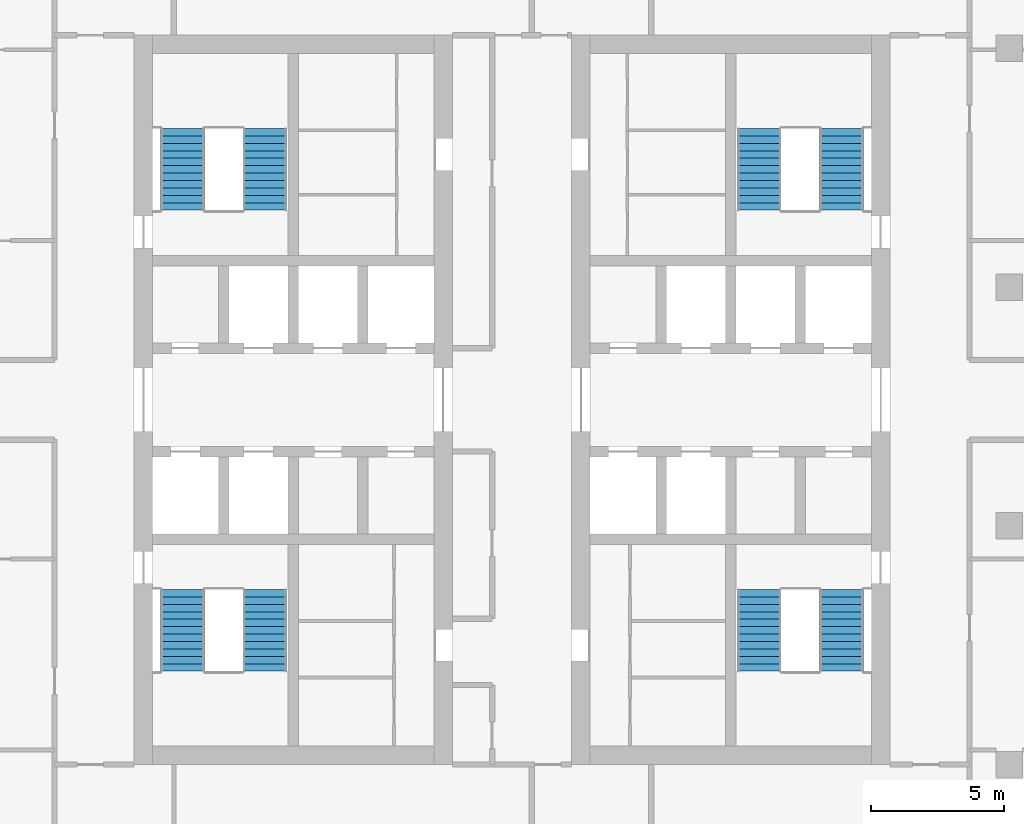
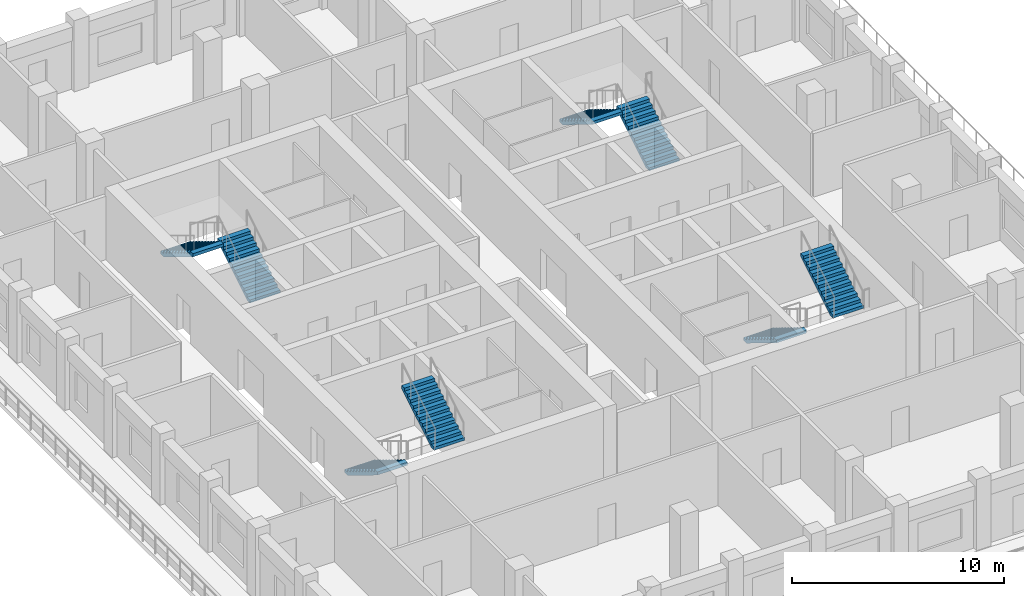
# One storey, part 8 of 17: 8 stair flights, 4 elements without a shape of their own.
"""IFC4 building model written with IfcOpenShell, lengths in metres."""

from ifc_helpers import new_model, si_unit, direction, frame, origin, place, context, subcontext, project, spatial, polyline, outline, extrude, material, type_object, element, aggregate, save


model = new_model("IFC4")

# Units and contexts
model_context = context("Model", 3, precision=1e-05, world=origin(), true_north=direction((0.0, 1.0)))
body_context = subcontext(model_context, "Body", "Model", "MODEL_VIEW")
ifc_project = project(units=[si_unit("LENGTHUNIT", "METRE"), si_unit("AREAUNIT", "SQUARE_METRE"), si_unit("VOLUMEUNIT", "CUBIC_METRE"), si_unit("PLANEANGLEUNIT", "RADIAN"), si_unit("MASSUNIT", "GRAM", prefix="KILO")], contexts=[model_context])

# Site, building, storey
site_placement = place(None, origin())
site = spatial("IfcSite", under=ifc_project, at=site_placement, CompositionType="ELEMENT")
building_placement = place(site_placement, origin())
building = spatial("IfcBuilding", under=site, at=building_placement, Name="Corbel Stack Research Tower", CompositionType="ELEMENT")
storey_placement = place(building_placement, frame((0.0, 0.0, 252.10009765625)))
storey = spatial("IfcBuildingStorey", under=building, at=storey_placement, Name="L57", CompositionType="ELEMENT", Elevation=252.10009765625)

# Stair, stair flights
ifc_material_1 = material(Name="Concrete C40/50", Category="concrete")
stair_type = type_object("IfcStairType", Name="Exit stair 24 risers", PredefinedType="HALF_TURN_STAIR", material=ifc_material_1)
stair_1_placement = place(storey_placement, origin())
stair_1 = element("IfcStair", 1, at=stair_1_placement, inside=storey, type_object=stair_type, Name="L57 Exit stair ST-W1", PredefinedType="HALF_TURN_STAIR")
ifc_material_2 = material(Name="Concrete C40/50", Category="concrete")
stair_flight_type = type_object("IfcStairFlightType", Name="Stair flight 12 risers", PredefinedType="STRAIGHT", material=ifc_material_2)
stair_flight_1_placement = place(storey_placement, frame((-8.675048828125, -2.39990234375, 0.0), z_axis=(0.0, 0.0, 1.0), x_axis=(0.0, -1.0, 0.0)))
stair_flight_1 = element("IfcStairFlight", 2, at=stair_flight_1_placement, type_object=stair_flight_type, Name="ST-W1 flight 1", NumberOfRisers=12, NumberOfTreads=11, PredefinedType="STRAIGHT", RiserHeight=0.170833333, TreadLength=0.28, context=body_context, shape_type="SweptSolid", body=[
    extrude(outline(polyline([(0.0, 0.0), (0.0, 0.1708984375), (0.280029296875, 0.1708984375), (0.280029296875, 0.341552734375), (0.56005859375, 0.341552734375), (0.56005859375, 0.512451171875), (0.840087890625, 0.512451171875), (0.840087890625, 0.683349609375), (1.1201171875, 0.683349609375), (1.1201171875, 0.854248046875), (1.39990234375, 0.854248046875), (1.39990234375, 1.02490234375), (1.679931640625, 1.02490234375), (1.679931640625, 1.19580078125), (1.9599609375, 1.19580078125), (1.9599609375, 1.36669921875), (2.239990234375, 1.36669921875), (2.239990234375, 1.53759765625), (2.52001953125, 1.53759765625), (2.52001953125, 1.708251953125), (2.800048828125, 1.708251953125), (2.800048828125, 1.879150390625), (3.080078125, 1.879150390625), (3.080078125, 2.050048828125), (3.080078125, 1.70361328125), (0.287841796875, 0.0), (0.0, 0.0)])), frame((0.0, 0.824951171875, 0.0), z_axis=(0.0, -1.0, 0.0), x_axis=(1.0, 0.0, 0.0)), (0.0, 0.0, 1.0), 1.64990234375),
])
stair_flight_2_placement = place(storey_placement, frame((-5.574951171875, -5.47998046875, 2.0498046875), z_axis=(0.0, 0.0, 1.0), x_axis=(0.0, 1.0, 0.0)))
stair_flight_2 = element("IfcStairFlight", 3, at=stair_flight_2_placement, type_object=stair_flight_type, Name="ST-W1 flight 2", NumberOfRisers=12, NumberOfTreads=11, PredefinedType="STRAIGHT", RiserHeight=0.170833333, TreadLength=0.28, context=body_context, shape_type="SweptSolid", body=[
    extrude(outline(polyline([(0.0, 0.0), (0.0, 0.1708984375), (0.280029296875, 0.1708984375), (0.280029296875, 0.341552734375), (0.56005859375, 0.341552734375), (0.56005859375, 0.512451171875), (0.840087890625, 0.512451171875), (0.840087890625, 0.683349609375), (1.1201171875, 0.683349609375), (1.1201171875, 0.854248046875), (1.39990234375, 0.854248046875), (1.39990234375, 1.02490234375), (1.679931640625, 1.02490234375), (1.679931640625, 1.19580078125), (1.9599609375, 1.19580078125), (1.9599609375, 1.36669921875), (2.239990234375, 1.36669921875), (2.239990234375, 1.53759765625), (2.52001953125, 1.53759765625), (2.52001953125, 1.708251953125), (2.800048828125, 1.708251953125), (2.800048828125, 1.879150390625), (3.080078125, 1.879150390625), (3.080078125, 2.050048828125), (3.080078125, 1.70361328125), (0.287841796875, 0.0), (0.0, 0.0)])), frame((0.0, 0.824951171875, 0.0), z_axis=(0.0, -1.0, 0.0), x_axis=(1.0, 0.0, 0.0)), (0.0, 0.0, 1.0), 1.64990234375),
])
aggregate(stair_1, [stair_flight_1, stair_flight_2])

stair_2_placement = place(storey_placement, origin())
stair_2 = element("IfcStair", 4, at=stair_2_placement, inside=storey, type_object=stair_type, Name="L57 Exit stair ST-W2", PredefinedType="HALF_TURN_STAIR")
stair_flight_3_placement = place(storey_placement, frame((-5.574951171875, 11.89990234375, 0.0), z_axis=(0.0, 0.0, 1.0), x_axis=(0.0, 1.0, 0.0)))
stair_flight_3 = element("IfcStairFlight", 5, at=stair_flight_3_placement, type_object=stair_flight_type, Name="ST-W2 flight 1", NumberOfRisers=12, NumberOfTreads=11, PredefinedType="STRAIGHT", RiserHeight=0.170833333, TreadLength=0.28, context=body_context, shape_type="SweptSolid", body=[
    extrude(outline(polyline([(0.0, 0.0), (0.0, 0.1708984375), (0.280029296875, 0.1708984375), (0.280029296875, 0.341552734375), (0.56005859375, 0.341552734375), (0.56005859375, 0.512451171875), (0.840087890625, 0.512451171875), (0.840087890625, 0.683349609375), (1.1201171875, 0.683349609375), (1.1201171875, 0.854248046875), (1.39990234375, 0.854248046875), (1.39990234375, 1.02490234375), (1.679931640625, 1.02490234375), (1.679931640625, 1.19580078125), (1.9599609375, 1.19580078125), (1.9599609375, 1.36669921875), (2.239990234375, 1.36669921875), (2.239990234375, 1.53759765625), (2.52001953125, 1.53759765625), (2.52001953125, 1.708251953125), (2.800048828125, 1.708251953125), (2.800048828125, 1.879150390625), (3.080078125, 1.879150390625), (3.080078125, 2.050048828125), (3.080078125, 1.70361328125), (0.287841796875, 0.0), (0.0, 0.0)])), frame((0.0, 0.824951171875, 0.0), z_axis=(0.0, -1.0, 0.0), x_axis=(1.0, 0.0, 0.0)), (0.0, 0.0, 1.0), 1.64990234375),
])
stair_flight_4_placement = place(storey_placement, frame((-8.675048828125, 14.97998046875, 2.0498046875), z_axis=(0.0, 0.0, 1.0), x_axis=(0.0, -1.0, 0.0)))
stair_flight_4 = element("IfcStairFlight", 6, at=stair_flight_4_placement, type_object=stair_flight_type, Name="ST-W2 flight 2", NumberOfRisers=12, NumberOfTreads=11, PredefinedType="STRAIGHT", RiserHeight=0.170833333, TreadLength=0.28, context=body_context, shape_type="SweptSolid", body=[
    extrude(outline(polyline([(0.0, 0.0), (0.0, 0.1708984375), (0.280029296875, 0.1708984375), (0.280029296875, 0.341552734375), (0.56005859375, 0.341552734375), (0.56005859375, 0.512451171875), (0.840087890625, 0.512451171875), (0.840087890625, 0.683349609375), (1.1201171875, 0.683349609375), (1.1201171875, 0.854248046875), (1.39990234375, 0.854248046875), (1.39990234375, 1.02490234375), (1.679931640625, 1.02490234375), (1.679931640625, 1.19580078125), (1.9599609375, 1.19580078125), (1.9599609375, 1.36669921875), (2.239990234375, 1.36669921875), (2.239990234375, 1.53759765625), (2.52001953125, 1.53759765625), (2.52001953125, 1.708251953125), (2.800048828125, 1.708251953125), (2.800048828125, 1.879150390625), (3.080078125, 1.879150390625), (3.080078125, 2.050048828125), (3.080078125, 1.70361328125), (0.287841796875, 0.0), (0.0, 0.0)])), frame((0.0, 0.824951171875, 0.0), z_axis=(0.0, -1.0, 0.0), x_axis=(1.0, 0.0, 0.0)), (0.0, 0.0, 1.0), 1.64990234375),
])
aggregate(stair_2, [stair_flight_3, stair_flight_4])

stair_3_placement = place(storey_placement, origin())
stair_3 = element("IfcStair", 7, at=stair_3_placement, inside=storey, type_object=stair_type, Name="L57 Exit stair ST-E1", PredefinedType="HALF_TURN_STAIR")
stair_flight_5_placement = place(storey_placement, frame((13.074951171875, -2.39990234375, 0.0), z_axis=(0.0, 0.0, 1.0), x_axis=(0.0, -1.0, 0.0)))
stair_flight_5 = element("IfcStairFlight", 8, at=stair_flight_5_placement, type_object=stair_flight_type, Name="ST-E1 flight 1", NumberOfRisers=12, NumberOfTreads=11, PredefinedType="STRAIGHT", RiserHeight=0.170833333, TreadLength=0.28, context=body_context, shape_type="SweptSolid", body=[
    extrude(outline(polyline([(0.0, 0.0), (0.0, 0.1708984375), (0.280029296875, 0.1708984375), (0.280029296875, 0.341552734375), (0.56005859375, 0.341552734375), (0.56005859375, 0.512451171875), (0.840087890625, 0.512451171875), (0.840087890625, 0.683349609375), (1.1201171875, 0.683349609375), (1.1201171875, 0.854248046875), (1.39990234375, 0.854248046875), (1.39990234375, 1.02490234375), (1.679931640625, 1.02490234375), (1.679931640625, 1.19580078125), (1.9599609375, 1.19580078125), (1.9599609375, 1.36669921875), (2.239990234375, 1.36669921875), (2.239990234375, 1.53759765625), (2.52001953125, 1.53759765625), (2.52001953125, 1.708251953125), (2.800048828125, 1.708251953125), (2.800048828125, 1.879150390625), (3.080078125, 1.879150390625), (3.080078125, 2.050048828125), (3.080078125, 1.70361328125), (0.287841796875, 0.0), (0.0, 0.0)])), frame((0.0, 0.824951171875, 0.0), z_axis=(0.0, -1.0, 0.0), x_axis=(1.0, 0.0, 0.0)), (0.0, 0.0, 1.0), 1.64990234375),
])
stair_flight_6_placement = place(storey_placement, frame((16.175048828125, -5.47998046875, 2.0498046875), z_axis=(0.0, 0.0, 1.0), x_axis=(0.0, 1.0, 0.0)))
stair_flight_6 = element("IfcStairFlight", 9, at=stair_flight_6_placement, type_object=stair_flight_type, Name="ST-E1 flight 2", NumberOfRisers=12, NumberOfTreads=11, PredefinedType="STRAIGHT", RiserHeight=0.170833333, TreadLength=0.28, context=body_context, shape_type="SweptSolid", body=[
    extrude(outline(polyline([(0.0, 0.0), (0.0, 0.1708984375), (0.280029296875, 0.1708984375), (0.280029296875, 0.341552734375), (0.56005859375, 0.341552734375), (0.56005859375, 0.512451171875), (0.840087890625, 0.512451171875), (0.840087890625, 0.683349609375), (1.1201171875, 0.683349609375), (1.1201171875, 0.854248046875), (1.39990234375, 0.854248046875), (1.39990234375, 1.02490234375), (1.679931640625, 1.02490234375), (1.679931640625, 1.19580078125), (1.9599609375, 1.19580078125), (1.9599609375, 1.36669921875), (2.239990234375, 1.36669921875), (2.239990234375, 1.53759765625), (2.52001953125, 1.53759765625), (2.52001953125, 1.708251953125), (2.800048828125, 1.708251953125), (2.800048828125, 1.879150390625), (3.080078125, 1.879150390625), (3.080078125, 2.050048828125), (3.080078125, 1.70361328125), (0.287841796875, 0.0), (0.0, 0.0)])), frame((0.0, 0.824951171875, 0.0), z_axis=(0.0, -1.0, 0.0), x_axis=(1.0, 0.0, 0.0)), (0.0, 0.0, 1.0), 1.64990234375),
])
aggregate(stair_3, [stair_flight_5, stair_flight_6])

stair_4_placement = place(storey_placement, origin())
stair_4 = element("IfcStair", 10, at=stair_4_placement, inside=storey, type_object=stair_type, Name="L57 Exit stair ST-E2", PredefinedType="HALF_TURN_STAIR")
stair_flight_7_placement = place(storey_placement, frame((16.175048828125, 11.89990234375, 0.0), z_axis=(0.0, 0.0, 1.0), x_axis=(0.0, 1.0, 0.0)))
stair_flight_7 = element("IfcStairFlight", 11, at=stair_flight_7_placement, type_object=stair_flight_type, Name="ST-E2 flight 1", NumberOfRisers=12, NumberOfTreads=11, PredefinedType="STRAIGHT", RiserHeight=0.170833333, TreadLength=0.28, context=body_context, shape_type="SweptSolid", body=[
    extrude(outline(polyline([(0.0, 0.0), (0.0, 0.1708984375), (0.280029296875, 0.1708984375), (0.280029296875, 0.341552734375), (0.56005859375, 0.341552734375), (0.56005859375, 0.512451171875), (0.840087890625, 0.512451171875), (0.840087890625, 0.683349609375), (1.1201171875, 0.683349609375), (1.1201171875, 0.854248046875), (1.39990234375, 0.854248046875), (1.39990234375, 1.02490234375), (1.679931640625, 1.02490234375), (1.679931640625, 1.19580078125), (1.9599609375, 1.19580078125), (1.9599609375, 1.36669921875), (2.239990234375, 1.36669921875), (2.239990234375, 1.53759765625), (2.52001953125, 1.53759765625), (2.52001953125, 1.708251953125), (2.800048828125, 1.708251953125), (2.800048828125, 1.879150390625), (3.080078125, 1.879150390625), (3.080078125, 2.050048828125), (3.080078125, 1.70361328125), (0.287841796875, 0.0), (0.0, 0.0)])), frame((0.0, 0.824951171875, 0.0), z_axis=(0.0, -1.0, 0.0), x_axis=(1.0, 0.0, 0.0)), (0.0, 0.0, 1.0), 1.64990234375),
])
stair_flight_8_placement = place(storey_placement, frame((13.074951171875, 14.97998046875, 2.0498046875), z_axis=(0.0, 0.0, 1.0), x_axis=(0.0, -1.0, 0.0)))
stair_flight_8 = element("IfcStairFlight", 12, at=stair_flight_8_placement, type_object=stair_flight_type, Name="ST-E2 flight 2", NumberOfRisers=12, NumberOfTreads=11, PredefinedType="STRAIGHT", RiserHeight=0.170833333, TreadLength=0.28, context=body_context, shape_type="SweptSolid", body=[
    extrude(outline(polyline([(0.0, 0.0), (0.0, 0.1708984375), (0.280029296875, 0.1708984375), (0.280029296875, 0.341552734375), (0.56005859375, 0.341552734375), (0.56005859375, 0.512451171875), (0.840087890625, 0.512451171875), (0.840087890625, 0.683349609375), (1.1201171875, 0.683349609375), (1.1201171875, 0.854248046875), (1.39990234375, 0.854248046875), (1.39990234375, 1.02490234375), (1.679931640625, 1.02490234375), (1.679931640625, 1.19580078125), (1.9599609375, 1.19580078125), (1.9599609375, 1.36669921875), (2.239990234375, 1.36669921875), (2.239990234375, 1.53759765625), (2.52001953125, 1.53759765625), (2.52001953125, 1.708251953125), (2.800048828125, 1.708251953125), (2.800048828125, 1.879150390625), (3.080078125, 1.879150390625), (3.080078125, 2.050048828125), (3.080078125, 1.70361328125), (0.287841796875, 0.0), (0.0, 0.0)])), frame((0.0, 0.824951171875, 0.0), z_axis=(0.0, -1.0, 0.0), x_axis=(1.0, 0.0, 0.0)), (0.0, 0.0, 1.0), 1.64990234375),
])
aggregate(stair_4, [stair_flight_7, stair_flight_8])

save(model, "model.ifc")
